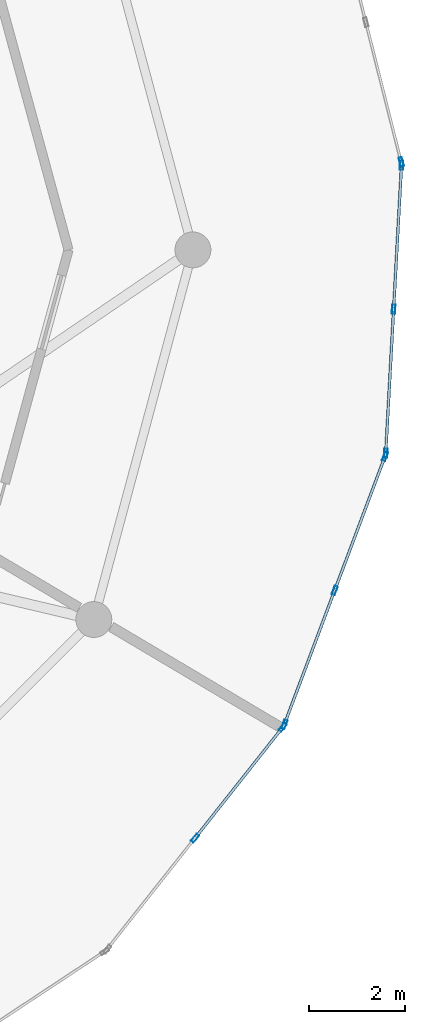
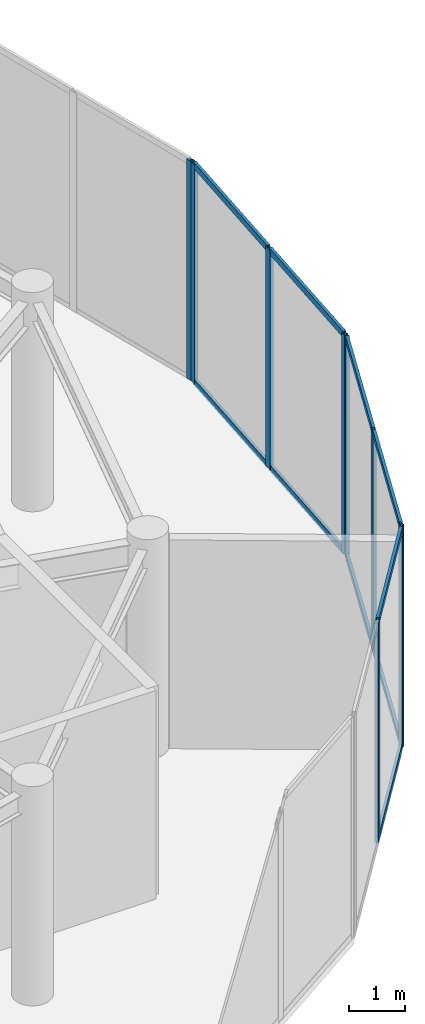
# One storey, part 9 of 21: 19 members, 4 elements without a shape of their own.
"""IFC4 building model written with IfcOpenShell, lengths in metres."""

from ifc_helpers import new_model, si_unit, direction, frame, origin, origin_2d, place, context, subcontext, project, spatial, hollow_rectangle, extrude, source, transform, mapped, material, layer, layer_set, material_profile, profile_set, type_object, element, aggregate, save


model = new_model("IFC4")

# Units and contexts
model_context = context("Model", 3, precision=1e-05, world=origin(), true_north=direction((0.0, 1.0)))
body_context = subcontext(model_context, "Body", "Model", "MODEL_VIEW")
ifc_project = project(units=[si_unit("LENGTHUNIT", "METRE"), si_unit("AREAUNIT", "SQUARE_METRE"), si_unit("VOLUMEUNIT", "CUBIC_METRE"), si_unit("PLANEANGLEUNIT", "RADIAN"), si_unit("MASSUNIT", "GRAM", prefix="KILO")], contexts=[model_context])

# Site, building, storey
site_placement = place(None, origin())
site = spatial("IfcSite", under=ifc_project, at=site_placement, CompositionType="ELEMENT")
building_placement = place(site_placement, origin())
building = spatial("IfcBuilding", under=site, at=building_placement, Name="Solvirekh Grand Hotel", CompositionType="ELEMENT")
storey_placement = place(building_placement, frame((0.0, 0.0, 262.0)))
storey = spatial("IfcBuildingStorey", under=building, at=storey_placement, Name="L68", CompositionType="ELEMENT", Elevation=262.0)

# Curtain wall, members
ifc_material = material(Name="Anodized Bronze Aluminium 6063-T6", Category="aluminium")
ifc_layer = layer(ifc_material, 0.18994140625)
ifc_layer_set = layer_set([ifc_layer], Name="Anodized Bronze Aluminium 6063-T6")
curtain_wall_type = type_object("IfcCurtainWallType", Name="CW_Sys5_SkyLobbyPanoramaCW", PredefinedType="NOTDEFINED", material=ifc_layer_set)
curtain_wall_1_placement = place(storey_placement, origin())
curtain_wall_1 = element("IfcCurtainWall", 1, at=curtain_wall_1_placement, inside=storey, type_object=curtain_wall_type, Name="L68 unitised bronze-glass curtain wall CW-L68-C03", PredefinedType="NOTDEFINED")
ifc_material_profile_1 = material_profile(ifc_material, hollow_rectangle(XDim=0.070068359375, YDim=0.18994140625, WallThickness=0.0048828125, at=origin_2d()), Name="ALU RHS 190X70X5")
ifc_profile_set_1 = profile_set([ifc_material_profile_1], Name="Anodized Bronze Aluminium 6063-T6")
member_type_1 = type_object("IfcMemberType", Name="CWMullion_Sys5", PredefinedType="MULLION", material=ifc_profile_set_1)
shared_shape_1 = source(origin(), body_context, "Body", "SweptSolid", [
    extrude(hollow_rectangle(XDim=0.070068359375, YDim=0.18994140625, WallThickness=0.0048828125, at=origin_2d()), origin(), (0.0, 0.0, 1.0), 4.800048828125),
])
member_1_placement = place(storey_placement, frame((15.493896484375, -12.2958984375, 0.0), z_axis=(0.0, 0.0, 1.0), x_axis=(-0.784215180751, 0.620488960643, 0.0)))
member_1 = element("IfcMember", 2, at=member_1_placement, type_object=member_type_1, Name="U05 mullion 2", PredefinedType="MULLION", context=body_context, shape_type="MappedRepresentation", body=[
    mapped(shared_shape_1, transform((0.0, 0.0, 0.0), x_axis=(1.0, 0.0, 0.0), y_axis=(0.0, 1.0, 0.0), z_axis=(0.0, 0.0, 1.0), scale=1.0)),
])
member_2_placement = place(storey_placement, frame((17.329345703125, -9.9765625, 0.0), z_axis=(0.0, 0.0, 1.0), x_axis=(-0.784215180751, 0.620488960643, 0.0)))
member_2 = element("IfcMember", 3, at=member_2_placement, type_object=member_type_1, Name="U05 mullion 3", PredefinedType="MULLION", context=body_context, shape_type="MappedRepresentation", body=[
    mapped(shared_shape_1, transform((0.0, 0.0, 0.0), x_axis=(1.0, 0.0, 0.0), y_axis=(0.0, 1.0, 0.0), z_axis=(0.0, 0.0, 1.0), scale=1.0)),
])

curtain_wall_2_placement = place(storey_placement, origin())
curtain_wall_2 = element("IfcCurtainWall", 4, at=curtain_wall_2_placement, inside=storey, type_object=curtain_wall_type, Name="L68 unitised bronze-glass curtain wall CW-L68-C04", PredefinedType="NOTDEFINED")
member_3_placement = place(storey_placement, frame((17.36328125, -9.916259765625, 0.0), z_axis=(0.0, 0.0, 1.0), x_axis=(-0.936152519764, 0.351594169093, 0.0)))
member_3 = element("IfcMember", 5, at=member_3_placement, type_object=member_type_1, Name="U05 mullion 1", PredefinedType="MULLION", context=body_context, shape_type="MappedRepresentation", body=[
    mapped(shared_shape_1, transform((0.0, 0.0, 0.0), x_axis=(1.0, 0.0, 0.0), y_axis=(0.0, 1.0, 0.0), z_axis=(0.0, 0.0, 1.0), scale=1.0)),
])
member_4_placement = place(storey_placement, frame((18.4150390625, -7.115966796875, 0.0), z_axis=(0.0, 0.0, 1.0), x_axis=(-0.936152519764, 0.351594169093, 0.0)))
member_4 = element("IfcMember", 6, at=member_4_placement, type_object=member_type_1, Name="U05 mullion 2", PredefinedType="MULLION", context=body_context, shape_type="MappedRepresentation", body=[
    mapped(shared_shape_1, transform((0.0, 0.0, 0.0), x_axis=(1.0, 0.0, 0.0), y_axis=(0.0, 1.0, 0.0), z_axis=(0.0, 0.0, 1.0), scale=1.0)),
])
member_5_placement = place(storey_placement, frame((19.466796875, -4.315673828125, 0.0), z_axis=(0.0, 0.0, 1.0), x_axis=(-0.936152519764, 0.351594169093, 0.0)))
member_5 = element("IfcMember", 7, at=member_5_placement, type_object=member_type_1, Name="U05 mullion 3", PredefinedType="MULLION", context=body_context, shape_type="MappedRepresentation", body=[
    mapped(shared_shape_1, transform((0.0, 0.0, 0.0), x_axis=(1.0, 0.0, 0.0), y_axis=(0.0, 1.0, 0.0), z_axis=(0.0, 0.0, 1.0), scale=1.0)),
])

curtain_wall_3_placement = place(storey_placement, origin())
curtain_wall_3 = element("IfcCurtainWall", 8, at=curtain_wall_3_placement, inside=storey, type_object=curtain_wall_type, Name="L68 unitised bronze-glass curtain wall CW-L68-C05", PredefinedType="NOTDEFINED")
member_6_placement = place(storey_placement, frame((19.48095703125, -4.248046875, 0.0), z_axis=(0.0, 0.0, 1.0), x_axis=(-0.998497975576, 0.05478861899, 0.0)))
member_6 = element("IfcMember", 9, at=member_6_placement, type_object=member_type_1, Name="U05 mullion 1", PredefinedType="MULLION", context=body_context, shape_type="MappedRepresentation", body=[
    mapped(shared_shape_1, transform((0.0, 0.0, 0.0), x_axis=(1.0, 0.0, 0.0), y_axis=(0.0, 1.0, 0.0), z_axis=(0.0, 0.0, 1.0), scale=1.0)),
])
member_7_placement = place(storey_placement, frame((19.64599609375, -1.239501953125, 0.0), z_axis=(0.0, 0.0, 1.0), x_axis=(-0.998497975576, 0.05478861899, 0.0)))
member_7 = element("IfcMember", 10, at=member_7_placement, type_object=member_type_1, Name="U05 mullion 2", PredefinedType="MULLION", context=body_context, shape_type="MappedRepresentation", body=[
    mapped(shared_shape_1, transform((0.0, 0.0, 0.0), x_axis=(1.0, 0.0, 0.0), y_axis=(0.0, 1.0, 0.0), z_axis=(0.0, 0.0, 1.0), scale=1.0)),
])
member_8_placement = place(storey_placement, frame((19.81103515625, 1.76904296875, 0.0), z_axis=(0.0, 0.0, 1.0), x_axis=(-0.998497975576, 0.05478861899, 0.0)))
member_8 = element("IfcMember", 11, at=member_8_placement, type_object=member_type_1, Name="U05 mullion 3", PredefinedType="MULLION", context=body_context, shape_type="MappedRepresentation", body=[
    mapped(shared_shape_1, transform((0.0, 0.0, 0.0), x_axis=(1.0, 0.0, 0.0), y_axis=(0.0, 1.0, 0.0), z_axis=(0.0, 0.0, 1.0), scale=1.0)),
])

# Curtain wall, member
curtain_wall_4_placement = place(storey_placement, origin())
curtain_wall_4 = element("IfcCurtainWall", 12, at=curtain_wall_4_placement, inside=storey, type_object=curtain_wall_type, Name="L68 unitised bronze-glass curtain wall CW-L68-C06", PredefinedType="NOTDEFINED")
member_9_placement = place(storey_placement, frame((19.804443359375, 1.837890625, 0.0), z_axis=(0.0, 0.0, 1.0), x_axis=(-0.969531400996, -0.244967064078, 0.0)))
member_9 = element("IfcMember", 13, at=member_9_placement, type_object=member_type_1, Name="U05 mullion 1", PredefinedType="MULLION", context=body_context, shape_type="MappedRepresentation", body=[
    mapped(shared_shape_1, transform((0.0, 0.0, 0.0), x_axis=(1.0, 0.0, 0.0), y_axis=(0.0, 1.0, 0.0), z_axis=(0.0, 0.0, 1.0), scale=1.0)),
])
aggregate(curtain_wall_4, [member_9])

# Member
ifc_material_profile_2 = material_profile(ifc_material, hollow_rectangle(XDim=0.06005859375, YDim=0.135009765625, WallThickness=0.00390625, at=origin_2d()), Name="ALU RHS 135X60X4")
ifc_profile_set_2 = profile_set([ifc_material_profile_2], Name="Anodized Bronze Aluminium 6063-T6")
member_type_2 = type_object("IfcMemberType", Name="CWTransom_Sys5", PredefinedType="USERDEFINED", material=ifc_profile_set_2)
shared_shape_2 = source(origin(), body_context, "Body", "SweptSolid", [
    extrude(hollow_rectangle(XDim=0.06005859375, YDim=0.135009765625, WallThickness=0.00390625, at=origin_2d()), origin(), (0.0, 0.0, 1.0), 2.887939453125),
])
member_10_placement = place(storey_placement, frame((15.515625, -12.2685546875, 0.030029296875), z_axis=(0.620521036589, 0.784189800463, 0.0), x_axis=(-0.784189800463, 0.620521036589, 0.0)))
member_10 = element("IfcMember", 14, at=member_10_placement, type_object=member_type_2, Name="U05 transom 2.1", ObjectType="TRANSOM", PredefinedType="USERDEFINED", context=body_context, shape_type="MappedRepresentation", body=[
    mapped(shared_shape_2, transform((0.0, 0.0, 0.0), x_axis=(1.0, 0.0, 0.0), y_axis=(0.0, 1.0, 0.0), z_axis=(0.0, 0.0, 1.0), scale=1.0)),
])

member_11_placement = place(storey_placement, frame((15.515625, -12.2685546875, 4.77001953125), z_axis=(0.620521036589, 0.784189800463, 0.0), x_axis=(-0.784189800463, 0.620521036589, 0.0)))
member_11 = element("IfcMember", 15, at=member_11_placement, type_object=member_type_2, Name="U05 transom 2.2", ObjectType="TRANSOM", PredefinedType="USERDEFINED", context=body_context, shape_type="MappedRepresentation", body=[
    mapped(shared_shape_2, transform((0.0, 0.0, 0.0), x_axis=(1.0, 0.0, 0.0), y_axis=(0.0, 1.0, 0.0), z_axis=(0.0, 0.0, 1.0), scale=1.0)),
])

aggregate(curtain_wall_1, [member_1, member_2, member_10, member_11])

shared_shape_3 = source(origin(), body_context, "Body", "SweptSolid", [
    extrude(hollow_rectangle(XDim=0.06005859375, YDim=0.135009765625, WallThickness=0.00390625, at=origin_2d()), origin(), (0.0, 0.0, 1.0), 2.92138671875),
])
member_12_placement = place(storey_placement, frame((17.375732421875, -9.883544921875, 0.030029296875), z_axis=(0.351508076768, 0.936184849251, 0.0), x_axis=(-0.936184849251, 0.351508076768, 0.0)))
member_12 = element("IfcMember", 16, at=member_12_placement, type_object=member_type_2, Name="U05 transom 1.1", ObjectType="TRANSOM", PredefinedType="USERDEFINED", context=body_context, shape_type="MappedRepresentation", body=[
    mapped(shared_shape_3, transform((0.0, 0.0, 0.0), x_axis=(1.0, 0.0, 0.0), y_axis=(0.0, 1.0, 0.0), z_axis=(0.0, 0.0, 1.0), scale=1.0)),
])

member_13_placement = place(storey_placement, frame((17.375732421875, -9.883544921875, 4.77001953125), z_axis=(0.351508076768, 0.936184849251, 0.0), x_axis=(-0.936184849251, 0.351508076768, 0.0)))
member_13 = element("IfcMember", 17, at=member_13_placement, type_object=member_type_2, Name="U05 transom 1.2", ObjectType="TRANSOM", PredefinedType="USERDEFINED", context=body_context, shape_type="MappedRepresentation", body=[
    mapped(shared_shape_3, transform((0.0, 0.0, 0.0), x_axis=(1.0, 0.0, 0.0), y_axis=(0.0, 1.0, 0.0), z_axis=(0.0, 0.0, 1.0), scale=1.0)),
])

shared_shape_4 = source(origin(), body_context, "Body", "SweptSolid", [
    extrude(hollow_rectangle(XDim=0.06005859375, YDim=0.135009765625, WallThickness=0.00390625, at=origin_2d()), origin(), (0.0, 0.0, 1.0), 2.921142578125),
])
member_14_placement = place(storey_placement, frame((18.42724609375, -7.083251953125, 0.030029296875), z_axis=(0.351608828472, 0.936147013957, 0.0), x_axis=(-0.936147013957, 0.351608828472, 0.0)))
member_14 = element("IfcMember", 18, at=member_14_placement, type_object=member_type_2, Name="U05 transom 2.1", ObjectType="TRANSOM", PredefinedType="USERDEFINED", context=body_context, shape_type="MappedRepresentation", body=[
    mapped(shared_shape_4, transform((0.0, 0.0, 0.0), x_axis=(1.0, 0.0, 0.0), y_axis=(0.0, 1.0, 0.0), z_axis=(0.0, 0.0, 1.0), scale=1.0)),
])

member_15_placement = place(storey_placement, frame((18.42724609375, -7.083251953125, 4.77001953125), z_axis=(0.351608828472, 0.936147013957, 0.0), x_axis=(-0.936147013957, 0.351608828472, 0.0)))
member_15 = element("IfcMember", 19, at=member_15_placement, type_object=member_type_2, Name="U05 transom 2.2", ObjectType="TRANSOM", PredefinedType="USERDEFINED", context=body_context, shape_type="MappedRepresentation", body=[
    mapped(shared_shape_4, transform((0.0, 0.0, 0.0), x_axis=(1.0, 0.0, 0.0), y_axis=(0.0, 1.0, 0.0), z_axis=(0.0, 0.0, 1.0), scale=1.0)),
])

aggregate(curtain_wall_2, [member_3, member_4, member_5, member_12, member_13, member_14, member_15])

shared_shape_5 = source(origin(), body_context, "Body", "SweptSolid", [
    extrude(hollow_rectangle(XDim=0.06005859375, YDim=0.135009765625, WallThickness=0.00390625, at=origin_2d()), origin(), (0.0, 0.0, 1.0), 2.943115234375),
])
member_16_placement = place(storey_placement, frame((19.48291015625, -4.213134765625, 0.030029296875), z_axis=(0.054748700589, 0.99850016514, 0.0), x_axis=(-0.99850016514, 0.054748700589, 0.0)))
member_16 = element("IfcMember", 20, at=member_16_placement, type_object=member_type_2, Name="U05 transom 1.1", ObjectType="TRANSOM", PredefinedType="USERDEFINED", context=body_context, shape_type="MappedRepresentation", body=[
    mapped(shared_shape_5, transform((0.0, 0.0, 0.0), x_axis=(1.0, 0.0, 0.0), y_axis=(0.0, 1.0, 0.0), z_axis=(0.0, 0.0, 1.0), scale=1.0)),
])

member_17_placement = place(storey_placement, frame((19.48291015625, -4.213134765625, 4.77001953125), z_axis=(0.054748700589, 0.99850016514, 0.0), x_axis=(-0.99850016514, 0.054748700589, 0.0)))
member_17 = element("IfcMember", 21, at=member_17_placement, type_object=member_type_2, Name="U05 transom 1.2", ObjectType="TRANSOM", PredefinedType="USERDEFINED", context=body_context, shape_type="MappedRepresentation", body=[
    mapped(shared_shape_5, transform((0.0, 0.0, 0.0), x_axis=(1.0, 0.0, 0.0), y_axis=(0.0, 1.0, 0.0), z_axis=(0.0, 0.0, 1.0), scale=1.0)),
])

member_18_placement = place(storey_placement, frame((19.64794921875, -1.20458984375, 0.030029296875), z_axis=(0.054748700589, 0.99850016514, 0.0), x_axis=(-0.99850016514, 0.054748700589, 0.0)))
member_18 = element("IfcMember", 22, at=member_18_placement, type_object=member_type_2, Name="U05 transom 2.1", ObjectType="TRANSOM", PredefinedType="USERDEFINED", context=body_context, shape_type="MappedRepresentation", body=[
    mapped(shared_shape_5, transform((0.0, 0.0, 0.0), x_axis=(1.0, 0.0, 0.0), y_axis=(0.0, 1.0, 0.0), z_axis=(0.0, 0.0, 1.0), scale=1.0)),
])

member_19_placement = place(storey_placement, frame((19.64794921875, -1.20458984375, 4.77001953125), z_axis=(0.054748700589, 0.99850016514, 0.0), x_axis=(-0.99850016514, 0.054748700589, 0.0)))
member_19 = element("IfcMember", 23, at=member_19_placement, type_object=member_type_2, Name="U05 transom 2.2", ObjectType="TRANSOM", PredefinedType="USERDEFINED", context=body_context, shape_type="MappedRepresentation", body=[
    mapped(shared_shape_5, transform((0.0, 0.0, 0.0), x_axis=(1.0, 0.0, 0.0), y_axis=(0.0, 1.0, 0.0), z_axis=(0.0, 0.0, 1.0), scale=1.0)),
])

aggregate(curtain_wall_3, [member_6, member_7, member_8, member_16, member_17, member_18, member_19])

save(model, "model.ifc")
